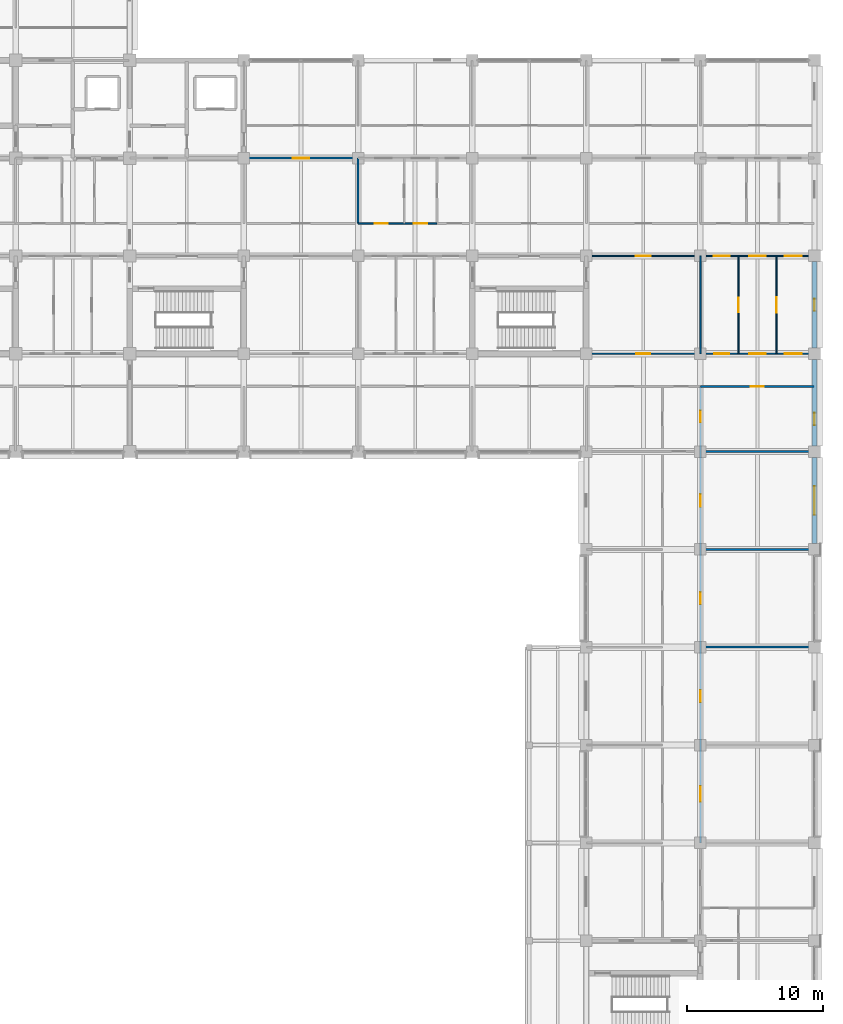
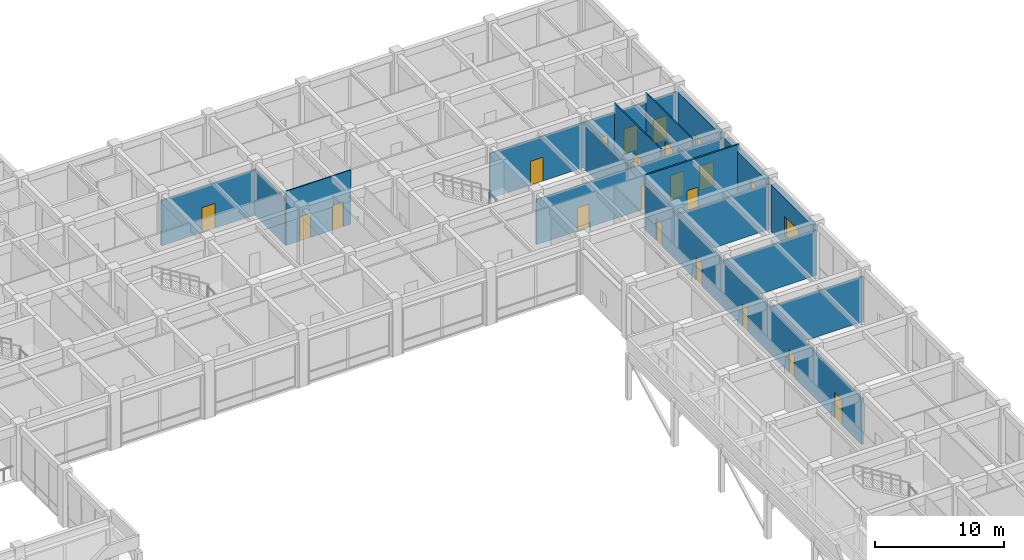
# One storey, part 57 of 68: 19 doors, 16 walls, 3 windows, 22 openings.
"""IFC4 building model written with IfcOpenShell, lengths in metres."""

import ifcopenshell
import ifcopenshell.guid

model = None  # the IFC model being written
_history = None  # IfcOwnerHistory: only IFC2X3 demands one
_inside = {}  # id of a spatial element -> (the spatial element, [elements in it])
_under = {}  # id of a project, library or spatial element -> (it, [spatial elements below it])
_declared = {}  # id of a project -> (the project, [libraries it declares])
_typed = {}  # id of a type object -> (the type object, [elements of that type])
_made_of = {}  # id of a material, layer set ... -> (it, [elements and type objects made of it])


def new_model(schema):
    """Start an empty IFC model of exactly this schema.

    Asked for "IFC4X3", IfcOpenShell would pick the latest addendum, in which some entities
    have other attributes; the version numbers below select the first issue.
    IFC2X3 requires an IfcOwnerHistory on every rooted entity: one is made here for all.
    """
    global model, _history
    if schema == "IFC4X3":
        model = ifcopenshell.file(schema_version=(4, 3, 0, 0))
    else:
        model = ifcopenshell.file(schema=schema)
    _inside.clear()
    _under.clear()
    _declared.clear()
    _typed.clear()
    _made_of.clear()
    _history = None
    if model.schema == "IFC2X3":
        org = make("IfcOrganization", Name="unknown")
        user = make(
            "IfcPersonAndOrganization",
            ThePerson=make("IfcPerson", FamilyName="unknown"),
            TheOrganization=org,
        )
        app = make(
            "IfcApplication",
            ApplicationDeveloper=org,
            Version="unknown",
            ApplicationFullName="unknown",
            ApplicationIdentifier="unknown",
        )
        _history = make(
            "IfcOwnerHistory",
            OwningUser=user,
            OwningApplication=app,
            ChangeAction="ADDED",
            CreationDate=0,
        )
    return model


def make(cls, **values):
    """One entity of the class cls with the attributes given. An attribute that is None is left unset."""
    return model.create_entity(
        cls, **{name: value for name, value in values.items() if value is not None}
    )


def rooted(cls, **values):
    """An entity with a GlobalId (a new one), such as an element, a storey or a relation."""
    return make(cls, GlobalId=ifcopenshell.guid.new(), OwnerHistory=_history, **values)


def si_unit(unit_type, name, prefix=None):
    """IfcSIUnit, for example si_unit("LENGTHUNIT", "METRE", prefix="MILLI")."""
    return make("IfcSIUnit", UnitType=unit_type, Prefix=prefix, Name=name)


def assignment(units):
    """IfcUnitAssignment: the units of a project."""
    return None if units is None else make("IfcUnitAssignment", Units=units)


def point(xyz):
    """IfcCartesianPoint."""
    return None if xyz is None else make("IfcCartesianPoint", Coordinates=xyz)


def direction(xyz):
    """IfcDirection."""
    return None if xyz is None else make("IfcDirection", DirectionRatios=xyz)


def frame(location, z_axis=None, x_axis=None):
    """IfcAxis2Placement3D, a coordinate frame: its origin and axes. An axis left out is left unset."""
    return make(
        "IfcAxis2Placement3D",
        Location=point(location),
        Axis=direction(z_axis),
        RefDirection=direction(x_axis),
    )


def frame_2d(location, x_axis=None):
    """IfcAxis2Placement2D, a coordinate frame in the plane: its origin and x axis."""
    return make(
        "IfcAxis2Placement2D", Location=point(location), RefDirection=direction(x_axis)
    )


def origin():
    """The frame at (0, 0, 0) with its axes left unset."""
    return frame((0.0, 0.0, 0.0))


def place(relative_to, where):
    """IfcLocalPlacement: puts the frame where relative to a parent placement (None: the world)."""
    return make(
        "IfcLocalPlacement", PlacementRelTo=relative_to, RelativePlacement=where
    )


def context(
    kind, dimensions, precision=None, world=None, true_north=None, identifier=None
):
    """IfcGeometricRepresentationContext, for example the 3D "Model" context."""
    return make(
        "IfcGeometricRepresentationContext",
        ContextIdentifier=identifier,
        ContextType=kind,
        CoordinateSpaceDimension=dimensions,
        Precision=precision,
        WorldCoordinateSystem=world,
        TrueNorth=true_north,
    )


def subcontext(parent, identifier, kind, view, scale=None):
    """IfcGeometricRepresentationSubContext, for example "Body" below "Model"."""
    return make(
        "IfcGeometricRepresentationSubContext",
        ContextIdentifier=identifier,
        ContextType=kind,
        ParentContext=parent,
        TargetScale=scale,
        TargetView=view,
    )


def project(units=None, contexts=None):
    """IfcProject with its units and contexts."""
    return rooted(
        "IfcProject",
        Name="project",
        RepresentationContexts=contexts,
        UnitsInContext=assignment(units),
    )


def spatial(cls, under=None, at=None, **own):
    """A site, building, storey or space (cls), placed at a placement, below another one or the project."""
    s = rooted(cls, ObjectPlacement=at, **own)
    if under is not None:
        _under.setdefault(under.id(), (under, []))[1].append(s)
    return s


def profile(cls, at=None, kind="AREA", **sizes):
    """A parametric profile (cls). Its sizes go by their IFC names, for example OverallWidth=200.0."""
    return make(cls, ProfileType=kind, Position=at, **sizes)


def rectangle(**sizes):
    """IfcRectangleProfileDef."""
    return profile("IfcRectangleProfileDef", **sizes)


def extrude(swept, where, along, depth):
    """IfcExtrudedAreaSolid: the profile swept, set in the frame where, extruded along a direction by depth."""
    return make(
        "IfcExtrudedAreaSolid",
        SweptArea=swept,
        Position=where,
        ExtrudedDirection=direction(along),
        Depth=depth,
    )


def shape(context_of_items, identifier, shape_type, items):
    """IfcShapeRepresentation: the items that make up one representation, for example the "Body"."""
    return make(
        "IfcShapeRepresentation",
        ContextOfItems=context_of_items,
        RepresentationIdentifier=identifier,
        RepresentationType=shape_type,
        Items=items,
    )


def material(Name=None, Category=None):
    """IfcMaterial."""
    return make("IfcMaterial", Name=Name, Category=Category)


def layer(
    of_material, thickness, ventilated=None, Name=None, Category=None, Priority=None
):
    """IfcMaterialLayer: one layer of a wall or slab, of a material (None: an air gap)."""
    return make(
        "IfcMaterialLayer",
        Material=of_material,
        LayerThickness=thickness,
        IsVentilated=ventilated,
        Name=Name,
        Category=Category,
        Priority=Priority,
    )


def layer_set(layers, Name=None):
    """IfcMaterialLayerSet."""
    return make("IfcMaterialLayerSet", MaterialLayers=layers, LayerSetName=Name)


def made_of(thing, what):
    """Note that an element or type object is made of a material, layer set ...; save() writes the relation."""
    if what is not None:
        _made_of.setdefault(what.id(), (what, []))[1].append(thing)
    return thing


def type_object(cls, material=None, **own):
    """A type object (cls), such as IfcWallType, which elements share."""
    return made_of(rooted(cls, **own), material)


def element(
    cls,
    number,
    at=None,
    inside=None,
    cuts=None,
    type_object=None,
    material=None,
    context=None,
    identifier="Body",
    shape_type=None,
    held_by="IfcProductDefinitionShape",
    body=None,
    shapes=None,
    **own,
):
    """One element of the class cls, such as IfcWall. Its Tag is "e" and its number.

    at: its placement. inside: the storey or other place that contains it. cuts: it is an
    opening in that element (IfcRelVoidsElement). A single representation is given by context,
    identifier, shape_type and body (its items); several are given by shapes. held_by: the class
    of the entity that holds the representations. save() writes the other relations.
    """
    e = rooted(cls, Tag="e%d" % number, ObjectPlacement=at, **own)
    if body is not None:
        shapes = [shape(context, identifier, shape_type, body)]
    if shapes is not None:
        e.Representation = make(held_by, Representations=shapes)
    if inside is not None:
        _inside.setdefault(inside.id(), (inside, []))[1].append(e)
    if cuts is not None:
        rooted(
            "IfcRelVoidsElement", RelatingBuildingElement=cuts, RelatedOpeningElement=e
        )
    if type_object is not None:
        _typed.setdefault(type_object.id(), (type_object, []))[1].append(e)
    return made_of(e, material)


def fill(opening, filler):
    """IfcRelFillsElement: the door or window that sits in an opening."""
    return rooted(
        "IfcRelFillsElement",
        RelatingOpeningElement=opening,
        RelatedBuildingElement=filler,
    )


def aggregate(whole, parts):
    """IfcRelAggregates: a whole, such as a stair, and the parts it consists of."""
    return rooted("IfcRelAggregates", RelatingObject=whole, RelatedObjects=parts)


def save(model, path):
    """Write the relations noted so far, then the file.

    IfcRelAggregates (storeys below a building ...), IfcRelContainedInSpatialStructure (elements
    in a storey), IfcRelDefinesByType, IfcRelAssociatesMaterial and IfcRelDeclares: one each for
    every whole, place, type object, material and project.
    """
    for whole, parts in _under.values():
        aggregate(whole, parts)
    for where, things in _inside.values():
        rooted(
            "IfcRelContainedInSpatialStructure",
            RelatedElements=things,
            RelatingStructure=where,
        )
    for kind, things in _typed.values():
        rooted("IfcRelDefinesByType", RelatedObjects=things, RelatingType=kind)
    for what, things in _made_of.values():
        rooted("IfcRelAssociatesMaterial", RelatedObjects=things, RelatingMaterial=what)
    for by, libraries in _declared.values():
        rooted("IfcRelDeclares", RelatingContext=by, RelatedDefinitions=libraries)
    model.write(path)


model = new_model("IFC4")

# Units and contexts
model_context = context("Model", 3, precision=1e-05, world=origin(), true_north=direction((0.0, 1.0)))
body_context = subcontext(model_context, "Body", "Model", "MODEL_VIEW")
ifc_project = project(units=[si_unit("LENGTHUNIT", "METRE"), si_unit("AREAUNIT", "SQUARE_METRE"), si_unit("VOLUMEUNIT", "CUBIC_METRE"), si_unit("PLANEANGLEUNIT", "RADIAN"), si_unit("MASSUNIT", "GRAM", prefix="KILO")], contexts=[model_context])

# Site, building, storey
site_placement = place(None, origin())
site = spatial("IfcSite", under=ifc_project, at=site_placement, CompositionType="ELEMENT")
building_placement = place(site_placement, origin())
building = spatial("IfcBuilding", under=site, at=building_placement, Name="Chengyuan Square Courthouse", CompositionType="ELEMENT")
storey_placement = place(building_placement, frame((0.0, 0.0, 5.39990234375)))
storey = spatial("IfcBuildingStorey", under=building, at=storey_placement, Name="L02", CompositionType="ELEMENT", Elevation=5.39990234375)

# Wall, opening, window
ifc_material_1 = material(Name="Concrete C40", Category="concrete")
ifc_layer_1 = layer(ifc_material_1, 0.3798828125)
ifc_layer_set_1 = layer_set([ifc_layer_1], Name="Concrete C40")
wall_type_1 = type_object("IfcWallType", Name="WL-EW1", PredefinedType="STANDARD", material=ifc_layer_set_1)
wall_1_placement = place(storey_placement, frame((168.0, 72.419921875, 0.0), z_axis=(0.0, 0.0, 1.0), x_axis=(0.0, 1.0, 0.0)))
wall_1 = element("IfcWall", 1, at=wall_1_placement, inside=storey, type_object=wall_type_1, Name="Exterior Wall WL-L02-E252", PredefinedType="STANDARD", context=body_context, shape_type="SweptSolid", body=[
    extrude(rectangle(XDim=6.360107421875, YDim=0.3798828125, at=frame_2d((3.18017578125, 0.0))), origin(), (0.0, 0.0, 1.0), 4.47021484375),
])
opening_1_placement = place(wall_1_placement, frame((2.1298828125, 0.0, 0.85009765625)))
opening_1 = element("IfcOpeningElement", 2, at=opening_1_placement, cuts=wall_1, Name="Opening WN-054", PredefinedType="OPENING", context=body_context, shape_type="SweptSolid", body=[
    extrude(rectangle(XDim=2.10009765625, YDim=1.919921875, at=frame_2d((1.050048828125, 0.9599609375))), frame((0.0, 0.201904296875, 0.0), z_axis=(0.0, -1.0, 0.0), x_axis=(1.0, 0.0, 0.0)), (0.0, 0.0, 1.0), 0.40380859375),
])
ifc_material_2 = material(Name="Thermally Broken Aluminium Triple Low-E Window", Category="aluminium")
window_type_1 = type_object("IfcWindowType", Name="WT-41", PartitioningType="SINGLE_PANEL", PredefinedType="WINDOW", material=ifc_material_2)
window_1_placement = place(opening_1_placement, origin())
window_1 = element("IfcWindow", 3, at=window_1_placement, inside=storey, type_object=window_type_1, Name="Facade Window WN-054", OverallHeight=1.919921875, OverallWidth=2.10009765625, PartitioningType="SINGLE_PANEL", PredefinedType="WINDOW", context=body_context, shape_type="SweptSolid", body=[
    extrude(rectangle(XDim=2.10009765625, YDim=1.919921875, at=frame_2d((1.050048828125, 0.9599609375))), frame((0.0, 0.030029296875, 0.0), z_axis=(0.0, -1.0, 0.0), x_axis=(1.0, 0.0, 0.0)), (0.0, 0.0, 1.0), 0.06005859375),
])
fill(opening_1, window_1)

wall_2_placement = place(storey_placement, frame((168.0, 79.6201171875, 0.0), z_axis=(0.0, 0.0, 1.0), x_axis=(0.0, 1.0, 0.0)))
wall_2 = element("IfcWall", 4, at=wall_2_placement, inside=storey, type_object=wall_type_1, Name="Exterior Wall WL-L02-E253", PredefinedType="STANDARD", context=body_context, shape_type="SweptSolid", body=[
    extrude(rectangle(XDim=6.35986328125, YDim=0.3798828125, at=frame_2d((3.179931640625, 0.0))), origin(), (0.0, 0.0, 1.0), 4.47021484375),
])
opening_2_placement = place(wall_2_placement, frame((1.530029296875, 0.0, 0.85009765625)))
opening_2 = element("IfcOpeningElement", 5, at=opening_2_placement, cuts=wall_2, Name="Opening WN-055", PredefinedType="OPENING", context=body_context, shape_type="SweptSolid", body=[
    extrude(rectangle(XDim=0.89990234375, YDim=2.1201171875, at=frame_2d((0.449951171875, 1.06005859375))), frame((0.0, 0.201904296875, 0.0), z_axis=(0.0, -1.0, 0.0), x_axis=(1.0, 0.0, 0.0)), (0.0, 0.0, 1.0), 0.40380859375),
])
window_type_2 = type_object("IfcWindowType", Name="WT-06", PartitioningType="SINGLE_PANEL", PredefinedType="WINDOW", material=ifc_material_2)
window_2_placement = place(opening_2_placement, origin())
window_2 = element("IfcWindow", 6, at=window_2_placement, inside=storey, type_object=window_type_2, Name="Facade Window WN-055", OverallHeight=2.1201171875, OverallWidth=0.89990234375, PartitioningType="SINGLE_PANEL", PredefinedType="WINDOW", context=body_context, shape_type="SweptSolid", body=[
    extrude(rectangle(XDim=0.89990234375, YDim=2.1201171875, at=frame_2d((0.449951171875, 1.06005859375))), frame((0.0, 0.030029296875, 0.0), z_axis=(0.0, -1.0, 0.0), x_axis=(1.0, 0.0, 0.0)), (0.0, 0.0, 1.0), 0.06005859375),
])
fill(opening_2, window_2)

wall_3_placement = place(storey_placement, frame((168.0, 86.820068359375, 0.0), z_axis=(0.0, 0.0, 1.0), x_axis=(0.0, 1.0, 0.0)))
wall_3 = element("IfcWall", 7, at=wall_3_placement, inside=storey, type_object=wall_type_1, Name="Exterior Wall WL-L02-E254", PredefinedType="STANDARD", context=body_context, shape_type="SweptSolid", body=[
    extrude(rectangle(XDim=6.35986328125, YDim=0.3798828125, at=frame_2d((3.179931640625, 0.0))), origin(), (0.0, 0.0, 1.0), 4.47021484375),
])
opening_3_placement = place(wall_3_placement, frame((2.72998046875, 0.0, 0.85009765625)))
opening_3 = element("IfcOpeningElement", 8, at=opening_3_placement, cuts=wall_3, Name="Opening WN-056", PredefinedType="OPENING", context=body_context, shape_type="SweptSolid", body=[
    extrude(rectangle(XDim=0.89990234375, YDim=1.199951171875, at=frame_2d((0.449951171875, 0.60009765625))), frame((0.0, 0.201904296875, 0.0), z_axis=(0.0, -1.0, 0.0), x_axis=(1.0, 0.0, 0.0)), (0.0, 0.0, 1.0), 0.40380859375),
])
window_type_3 = type_object("IfcWindowType", Name="WT-01", PartitioningType="SINGLE_PANEL", PredefinedType="WINDOW", material=ifc_material_2)
window_3_placement = place(opening_3_placement, origin())
window_3 = element("IfcWindow", 9, at=window_3_placement, inside=storey, type_object=window_type_3, Name="Facade Window WN-056", OverallHeight=1.199951171875, OverallWidth=0.89990234375, PartitioningType="SINGLE_PANEL", PredefinedType="WINDOW", context=body_context, shape_type="SweptSolid", body=[
    extrude(rectangle(XDim=0.89990234375, YDim=1.199951171875, at=frame_2d((0.449951171875, 0.60009765625))), frame((0.0, 0.030029296875, 0.0), z_axis=(0.0, -1.0, 0.0), x_axis=(1.0, 0.0, 0.0)), (0.0, 0.0, 1.0), 0.06005859375),
])
fill(opening_3, window_3)

# Walls
ifc_material_3 = material(Name="Deliberation Room Sound-Insulated Partition")
ifc_layer_2 = layer(ifc_material_3, 0.14990234375)
ifc_layer_set_2 = layer_set([ifc_layer_2], Name="Deliberation Room Sound-Insulated Partition")
wall_type_2 = type_object("IfcWallType", Name="WL-PT3", PredefinedType="STANDARD", material=ifc_layer_set_2)
for number, where, z_axis, x_axis, name in (
    (10, (159.60009765625, 64.800048828125, 0.0), (0.0, 0.0, 1.0), (1.0, 0.0, 0.0), "Interior Wall WL-L02-I1053"),
    (11, (159.60009765625, 72.0, 0.0), (0.0, 0.0, 1.0), (1.0, 0.0, 0.0), "Interior Wall WL-L02-I1057"),
    (12, (159.60009765625, 79.199951171875, 0.0), (0.0, 0.0, 1.0), (1.0, 0.0, 0.0), "Interior Wall WL-L02-I1061"),
):
    element("IfcWall", number, at=place(storey_placement, frame(where, z_axis=z_axis, x_axis=x_axis)), inside=storey, type_object=wall_type_2, Name=name, PredefinedType="STANDARD", context=body_context, shape_type="SweptSolid", body=[
        extrude(rectangle(XDim=8.35986328125, YDim=0.14990234375, at=frame_2d((4.179931640625, 0.0))), origin(), (0.0, 0.0, 1.0), 4.27001953125),
    ])

# Wall, opening, door
wall_4_placement = place(storey_placement, frame((159.60009765625, 84.0, 0.0), z_axis=(0.0, 0.0, 1.0), x_axis=(1.0, 0.0, 0.0)))
wall_4 = element("IfcWall", 13, at=wall_4_placement, inside=storey, type_object=wall_type_2, Name="Interior Wall WL-L02-I1066", PredefinedType="STANDARD", context=body_context, shape_type="SweptSolid", body=[
    extrude(rectangle(XDim=8.35986328125, YDim=0.14990234375, at=frame_2d((4.179931640625, 0.0))), origin(), (0.0, 0.0, 1.0), 5.1201171875),
])
opening_4_placement = place(wall_4_placement, frame((3.68994140625, 0.0, 0.0)))
opening_4 = element("IfcOpeningElement", 14, at=opening_4_placement, cuts=wall_4, Name="Opening DR-1252", PredefinedType="OPENING", context=body_context, shape_type="SweptSolid", body=[
    extrude(rectangle(XDim=0.97998046875, YDim=2.35009765625, at=frame_2d((0.489990234375, 1.175048828125))), frame((0.0, 0.0869140625, 0.0), z_axis=(0.0, -1.0, 0.0), x_axis=(1.0, 0.0, 0.0)), (0.0, 0.0, 1.0), 0.173828125),
])
ifc_material_4 = material(Name="Acoustic Solid-Core Timber Door", Category="wood")
door_type_1 = type_object("IfcDoorType", Name="DT-40", OperationType="NOTDEFINED", PredefinedType="DOOR", material=ifc_material_4)
door_1_placement = place(opening_4_placement, origin())
door_1 = element("IfcDoor", 15, at=door_1_placement, inside=storey, type_object=door_type_1, Name="Interior Door DR-1252", OperationType="SINGLE_SWING_LEFT", OverallHeight=2.35009765625, OverallWidth=0.97998046875, PredefinedType="DOOR", context=body_context, shape_type="SweptSolid", body=[
    extrude(rectangle(XDim=0.97998046875, YDim=2.35009765625, at=frame_2d((0.489990234375, 1.175048828125))), frame((0.0, 0.02490234375, 0.0), z_axis=(0.0, -1.0, 0.0), x_axis=(1.0, 0.0, 0.0)), (0.0, 0.0, 1.0), 0.050048828125),
])
fill(opening_4, door_1)

wall_5_placement = place(storey_placement, frame((126.0, 100.800048828125, 0.0), z_axis=(0.0, 0.0, 1.0), x_axis=(1.0, 0.0, 0.0)))
wall_5 = element("IfcWall", 16, at=wall_5_placement, inside=storey, type_object=wall_type_2, Name="Interior Wall WL-L02-I1147", PredefinedType="STANDARD", context=body_context, shape_type="SweptSolid", body=[
    extrude(rectangle(XDim=8.39990234375, YDim=0.14990234375, at=frame_2d((4.199951171875, 0.0))), origin(), (0.0, 0.0, 1.0), 4.27001953125),
])
opening_5_placement = place(wall_5_placement, frame((3.60009765625, 0.0, 0.0)))
opening_5 = element("IfcOpeningElement", 17, at=opening_5_placement, cuts=wall_5, Name="Opening DR-1095", PredefinedType="OPENING", context=body_context, shape_type="SweptSolid", body=[
    extrude(rectangle(XDim=1.199951171875, YDim=2.35009765625, at=frame_2d((0.60009765625, 1.175048828125))), frame((0.0, 0.0869140625, 0.0), z_axis=(0.0, -1.0, 0.0), x_axis=(1.0, 0.0, 0.0)), (0.0, 0.0, 1.0), 0.173828125),
])
door_type_2 = type_object("IfcDoorType", Name="DT-36", OperationType="NOTDEFINED", PredefinedType="DOOR", material=ifc_material_4)
door_2_placement = place(opening_5_placement, origin())
door_2 = element("IfcDoor", 18, at=door_2_placement, inside=storey, type_object=door_type_2, Name="Interior Door DR-1095", OperationType="SINGLE_SWING_RIGHT", OverallHeight=2.35009765625, OverallWidth=1.199951171875, PredefinedType="DOOR", context=body_context, shape_type="SweptSolid", body=[
    extrude(rectangle(XDim=1.199951171875, YDim=2.35009765625, at=frame_2d((0.60009765625, 1.175048828125))), frame((0.0, 0.02490234375, 0.0), z_axis=(0.0, -1.0, 0.0), x_axis=(1.0, 0.0, 0.0)), (0.0, 0.0, 1.0), 0.050048828125),
])
fill(opening_5, door_2)

# Wall
wall_6_placement = place(storey_placement, frame((134.39990234375, 96.0, 0.0), z_axis=(0.0, 0.0, 1.0), x_axis=(0.0, 1.0, 0.0)))
element("IfcWall", 19, at=wall_6_placement, inside=storey, type_object=wall_type_2, Name="Interior Wall WL-L02-I1356", PredefinedType="STANDARD", context=body_context, shape_type="SweptSolid", body=[
    extrude(rectangle(XDim=4.800048828125, YDim=0.14990234375, at=frame_2d((2.39990234375, 0.0))), origin(), (0.0, 0.0, 1.0), 4.3701171875),
])

# Wall, openings, doors
wall_7_placement = place(storey_placement, frame((159.60009765625, 50.39990234375, 0.0), z_axis=(0.0, 0.0, 1.0), x_axis=(0.0, 1.0, 0.0)))
wall_7 = element("IfcWall", 20, at=wall_7_placement, inside=storey, type_object=wall_type_2, Name="Interior Wall WL-L02-I1379", PredefinedType="STANDARD", context=body_context, shape_type="SweptSolid", body=[
    extrude(rectangle(XDim=33.60009765625, YDim=0.14990234375, at=frame_2d((16.800048828125, 0.0))), origin(), (0.0, 0.0, 1.0), 4.3701171875),
])
opening_6_placement = place(wall_7_placement, frame((30.9423828125, 0.0, 0.0)))
opening_6 = element("IfcOpeningElement", 21, at=opening_6_placement, cuts=wall_7, Name="Opening DR-1257", PredefinedType="OPENING", context=body_context, shape_type="SweptSolid", body=[
    extrude(rectangle(XDim=0.860107421875, YDim=2.10009765625, at=frame_2d((0.43017578125, 1.050048828125))), frame((0.0, 0.0869140625, 0.0), z_axis=(0.0, -1.0, 0.0), x_axis=(1.0, 0.0, 0.0)), (0.0, 0.0, 1.0), 0.173828125),
])
opening_7_placement = place(wall_7_placement, frame((3.030029296875, 0.0, 0.0)))
opening_7 = element("IfcOpeningElement", 22, at=opening_7_placement, cuts=wall_7, Name="Opening DR-1306", PredefinedType="OPENING", context=body_context, shape_type="SweptSolid", body=[
    extrude(rectangle(XDim=1.139892578125, YDim=2.39990234375, at=frame_2d((0.56982421875, 1.199951171875))), frame((0.0, 0.0869140625, 0.0), z_axis=(0.0, -1.0, 0.0), x_axis=(1.0, 0.0, 0.0)), (0.0, 0.0, 1.0), 0.173828125),
])
opening_8_placement = place(wall_7_placement, frame((10.35009765625, 0.0, 0.0)))
opening_8 = element("IfcOpeningElement", 23, at=opening_8_placement, cuts=wall_7, Name="Opening DR-1307", PredefinedType="OPENING", context=body_context, shape_type="SweptSolid", body=[
    extrude(rectangle(XDim=0.89990234375, YDim=2.14990234375, at=frame_2d((0.449951171875, 1.074951171875))), frame((0.0, 0.0869140625, 0.0), z_axis=(0.0, -1.0, 0.0), x_axis=(1.0, 0.0, 0.0)), (0.0, 0.0, 1.0), 0.173828125),
])
opening_9_placement = place(wall_7_placement, frame((17.570068359375, 0.0, 0.0)))
opening_9 = element("IfcOpeningElement", 24, at=opening_9_placement, cuts=wall_7, Name="Opening DR-1308", PredefinedType="OPENING", context=body_context, shape_type="SweptSolid", body=[
    extrude(rectangle(XDim=0.860107421875, YDim=2.10009765625, at=frame_2d((0.43017578125, 1.050048828125))), frame((0.0, 0.0869140625, 0.0), z_axis=(0.0, -1.0, 0.0), x_axis=(1.0, 0.0, 0.0)), (0.0, 0.0, 1.0), 0.173828125),
])
opening_10_placement = place(wall_7_placement, frame((24.739990234375, 0.0, 0.0)))
opening_10 = element("IfcOpeningElement", 25, at=opening_10_placement, cuts=wall_7, Name="Opening DR-1309", PredefinedType="OPENING", context=body_context, shape_type="SweptSolid", body=[
    extrude(rectangle(XDim=0.919921875, YDim=2.14990234375, at=frame_2d((0.4599609375, 1.074951171875))), frame((0.0, 0.0869140625, 0.0), z_axis=(0.0, -1.0, 0.0), x_axis=(1.0, 0.0, 0.0)), (0.0, 0.0, 1.0), 0.173828125),
])
door_type_3 = type_object("IfcDoorType", Name="DT-27", OperationType="NOTDEFINED", PredefinedType="DOOR", material=ifc_material_4)
door_3_placement = place(opening_8_placement, origin())
door_3 = element("IfcDoor", 26, at=door_3_placement, inside=storey, type_object=door_type_3, Name="Interior Door DR-1307", OperationType="SINGLE_SWING_RIGHT", OverallHeight=2.14990234375, OverallWidth=0.89990234375, PredefinedType="DOOR", context=body_context, shape_type="SweptSolid", body=[
    extrude(rectangle(XDim=0.89990234375, YDim=2.14990234375, at=frame_2d((0.449951171875, 1.074951171875))), frame((0.0, 0.02490234375, 0.0), z_axis=(0.0, -1.0, 0.0), x_axis=(1.0, 0.0, 0.0)), (0.0, 0.0, 1.0), 0.050048828125),
])
fill(opening_8, door_3)
door_type_4 = type_object("IfcDoorType", Name="DT-28", OperationType="NOTDEFINED", PredefinedType="DOOR", material=ifc_material_4)
door_4_placement = place(opening_6_placement, origin())
door_4 = element("IfcDoor", 27, at=door_4_placement, inside=storey, type_object=door_type_4, Name="Interior Door DR-1257", OperationType="SINGLE_SWING_RIGHT", OverallHeight=2.10009765625, OverallWidth=0.860107421875, PredefinedType="DOOR", context=body_context, shape_type="SweptSolid", body=[
    extrude(rectangle(XDim=0.860107421875, YDim=2.10009765625, at=frame_2d((0.43017578125, 1.050048828125))), frame((0.0, 0.02490234375, 0.0), z_axis=(0.0, -1.0, 0.0), x_axis=(1.0, 0.0, 0.0)), (0.0, 0.0, 1.0), 0.050048828125),
])
fill(opening_6, door_4)
door_5_placement = place(opening_9_placement, origin())
door_5 = element("IfcDoor", 28, at=door_5_placement, inside=storey, type_object=door_type_4, Name="Interior Door DR-1308", OperationType="SINGLE_SWING_LEFT", OverallHeight=2.10009765625, OverallWidth=0.860107421875, PredefinedType="DOOR", context=body_context, shape_type="SweptSolid", body=[
    extrude(rectangle(XDim=0.860107421875, YDim=2.10009765625, at=frame_2d((0.43017578125, 1.050048828125))), frame((0.0, 0.02490234375, 0.0), z_axis=(0.0, -1.0, 0.0), x_axis=(1.0, 0.0, 0.0)), (0.0, 0.0, 1.0), 0.050048828125),
])
fill(opening_9, door_5)
door_type_5 = type_object("IfcDoorType", Name="DT-29", OperationType="NOTDEFINED", PredefinedType="DOOR", material=ifc_material_4)
door_6_placement = place(opening_10_placement, origin())
door_6 = element("IfcDoor", 29, at=door_6_placement, inside=storey, type_object=door_type_5, Name="Interior Door DR-1309", OperationType="SINGLE_SWING_RIGHT", OverallHeight=2.14990234375, OverallWidth=0.919921875, PredefinedType="DOOR", context=body_context, shape_type="SweptSolid", body=[
    extrude(rectangle(XDim=0.919921875, YDim=2.14990234375, at=frame_2d((0.4599609375, 1.074951171875))), frame((0.0, 0.02490234375, 0.0), z_axis=(0.0, -1.0, 0.0), x_axis=(1.0, 0.0, 0.0)), (0.0, 0.0, 1.0), 0.050048828125),
])
fill(opening_10, door_6)
door_type_6 = type_object("IfcDoorType", Name="DT-43", OperationType="NOTDEFINED", PredefinedType="DOOR", material=ifc_material_4)
door_7_placement = place(opening_7_placement, origin())
door_7 = element("IfcDoor", 30, at=door_7_placement, inside=storey, type_object=door_type_6, Name="Interior Door DR-1306", OperationType="SINGLE_SWING_LEFT", OverallHeight=2.39990234375, OverallWidth=1.139892578125, PredefinedType="DOOR", context=body_context, shape_type="SweptSolid", body=[
    extrude(rectangle(XDim=1.139892578125, YDim=2.39990234375, at=frame_2d((0.56982421875, 1.199951171875))), frame((0.0, 0.02490234375, 0.0), z_axis=(0.0, -1.0, 0.0), x_axis=(1.0, 0.0, 0.0)), (0.0, 0.0, 1.0), 0.050048828125),
])
fill(opening_7, door_7)

ifc_material_5 = material(Name="Gypsum Plasterboard Acoustic Stud Partition")
ifc_layer_3 = layer(ifc_material_5, 0.10009765625)
ifc_layer_set_3 = layer_set([ifc_layer_3], Name="Gypsum Plasterboard Acoustic Stud Partition")
wall_type_3 = type_object("IfcWallType", Name="WL-PT6", PredefinedType="STANDARD", material=ifc_layer_set_3)
wall_8_placement = place(storey_placement, frame((151.199951171875, 86.39990234375, 0.0), z_axis=(0.0, 0.0, 1.0), x_axis=(1.0, 0.0, 0.0)))
wall_8 = element("IfcWall", 31, at=wall_8_placement, inside=storey, type_object=wall_type_3, Name="Interior Wall WL-L02-I1082", PredefinedType="STANDARD", context=body_context, shape_type="SweptSolid", body=[
    extrude(rectangle(XDim=16.760009765625, YDim=0.10009765625, at=frame_2d((8.3798828125, 0.0))), origin(), (0.0, 0.0, 1.0), 4.27001953125),
])
opening_11_placement = place(wall_8_placement, frame((3.679931640625, 0.0, 0.0)))
opening_11 = element("IfcOpeningElement", 32, at=opening_11_placement, cuts=wall_8, Name="Opening DR-1210", PredefinedType="OPENING", context=body_context, shape_type="SweptSolid", body=[
    extrude(rectangle(XDim=1.0400390625, YDim=2.199951171875, at=frame_2d((0.52001953125, 1.10009765625))), frame((0.0, 0.06201171875, 0.0), z_axis=(0.0, -1.0, 0.0), x_axis=(1.0, 0.0, 0.0)), (0.0, 0.0, 1.0), 0.1240234375),
])
opening_12_placement = place(wall_8_placement, frame((9.41259765625, 0.0, 0.0)))
opening_12 = element("IfcOpeningElement", 33, at=opening_12_placement, cuts=wall_8, Name="Opening DR-1212", PredefinedType="OPENING", context=body_context, shape_type="SweptSolid", body=[
    extrude(rectangle(XDim=1.1201171875, YDim=2.25, at=frame_2d((0.56005859375, 1.125))), frame((0.0, 0.06201171875, 0.0), z_axis=(0.0, -1.0, 0.0), x_axis=(1.0, 0.0, 0.0)), (0.0, 0.0, 1.0), 0.1240234375),
])
opening_13_placement = place(wall_8_placement, frame((12.0, 0.0, 0.0)))
opening_13 = element("IfcOpeningElement", 34, at=opening_13_placement, cuts=wall_8, Name="Opening DR-1214", PredefinedType="OPENING", context=body_context, shape_type="SweptSolid", body=[
    extrude(rectangle(XDim=1.199951171875, YDim=2.35009765625, at=frame_2d((0.60009765625, 1.175048828125))), frame((0.0, 0.06201171875, 0.0), z_axis=(0.0, -1.0, 0.0), x_axis=(1.0, 0.0, 0.0)), (0.0, 0.0, 1.0), 0.1240234375),
])
opening_14_placement = place(wall_8_placement, frame((14.607421875, 0.0, 0.0)))
opening_14 = element("IfcOpeningElement", 35, at=opening_14_placement, cuts=wall_8, Name="Opening DR-1215", PredefinedType="OPENING", context=body_context, shape_type="SweptSolid", body=[
    extrude(rectangle(XDim=1.239990234375, YDim=2.300048828125, at=frame_2d((0.6201171875, 1.14990234375))), frame((0.0, 0.06201171875, 0.0), z_axis=(0.0, -1.0, 0.0), x_axis=(1.0, 0.0, 0.0)), (0.0, 0.0, 1.0), 0.1240234375),
])
door_type_7 = type_object("IfcDoorType", Name="DT-32", OperationType="NOTDEFINED", PredefinedType="DOOR", material=ifc_material_4)
door_8_placement = place(opening_11_placement, origin())
door_8 = element("IfcDoor", 36, at=door_8_placement, inside=storey, type_object=door_type_7, Name="Interior Door DR-1210", OperationType="SINGLE_SWING_RIGHT", OverallHeight=2.199951171875, OverallWidth=1.0400390625, PredefinedType="DOOR", context=body_context, shape_type="SweptSolid", body=[
    extrude(rectangle(XDim=1.0400390625, YDim=2.199951171875, at=frame_2d((0.52001953125, 1.10009765625))), frame((0.0, 0.02490234375, 0.0), z_axis=(0.0, -1.0, 0.0), x_axis=(1.0, 0.0, 0.0)), (0.0, 0.0, 1.0), 0.050048828125),
])
fill(opening_11, door_8)
door_type_8 = type_object("IfcDoorType", Name="DT-34", OperationType="NOTDEFINED", PredefinedType="DOOR", material=ifc_material_4)
door_9_placement = place(opening_12_placement, origin())
door_9 = element("IfcDoor", 37, at=door_9_placement, inside=storey, type_object=door_type_8, Name="Interior Door DR-1212", OperationType="SINGLE_SWING_RIGHT", OverallHeight=2.25, OverallWidth=1.1201171875, PredefinedType="DOOR", context=body_context, shape_type="SweptSolid", body=[
    extrude(rectangle(XDim=1.1201171875, YDim=2.25, at=frame_2d((0.56005859375, 1.125))), frame((0.0, 0.02490234375, 0.0), z_axis=(0.0, -1.0, 0.0), x_axis=(1.0, 0.0, 0.0)), (0.0, 0.0, 1.0), 0.050048828125),
])
fill(opening_12, door_9)
door_10_placement = place(opening_13_placement, origin())
door_10 = element("IfcDoor", 38, at=door_10_placement, inside=storey, type_object=door_type_2, Name="Interior Door DR-1214", OperationType="SINGLE_SWING_RIGHT", OverallHeight=2.35009765625, OverallWidth=1.199951171875, PredefinedType="DOOR", context=body_context, shape_type="SweptSolid", body=[
    extrude(rectangle(XDim=1.199951171875, YDim=2.35009765625, at=frame_2d((0.60009765625, 1.175048828125))), frame((0.0, 0.02490234375, 0.0), z_axis=(0.0, -1.0, 0.0), x_axis=(1.0, 0.0, 0.0)), (0.0, 0.0, 1.0), 0.050048828125),
])
fill(opening_13, door_10)
door_type_9 = type_object("IfcDoorType", Name="DT-37", OperationType="NOTDEFINED", PredefinedType="DOOR", material=ifc_material_4)
door_11_placement = place(opening_14_placement, origin())
door_11 = element("IfcDoor", 39, at=door_11_placement, inside=storey, type_object=door_type_9, Name="Interior Door DR-1215", OperationType="SINGLE_SWING_LEFT", OverallHeight=2.300048828125, OverallWidth=1.239990234375, PredefinedType="DOOR", context=body_context, shape_type="SweptSolid", body=[
    extrude(rectangle(XDim=1.239990234375, YDim=2.300048828125, at=frame_2d((0.6201171875, 1.14990234375))), frame((0.0, 0.02490234375, 0.0), z_axis=(0.0, -1.0, 0.0), x_axis=(1.0, 0.0, 0.0)), (0.0, 0.0, 1.0), 0.050048828125),
])
fill(opening_14, door_11)

wall_9_placement = place(storey_placement, frame((151.199951171875, 93.60009765625, 0.0), z_axis=(0.0, 0.0, 1.0), x_axis=(1.0, 0.0, 0.0)))
wall_9 = element("IfcWall", 40, at=wall_9_placement, inside=storey, type_object=wall_type_3, Name="Interior Wall WL-L02-I1110", PredefinedType="STANDARD", context=body_context, shape_type="SweptSolid", body=[
    extrude(rectangle(XDim=16.760009765625, YDim=0.10009765625, at=frame_2d((8.3798828125, 0.0))), origin(), (0.0, 0.0, 1.0), 4.27001953125),
])
opening_15_placement = place(wall_9_placement, frame((3.639892578125, 0.0, 0.0)))
opening_15 = element("IfcOpeningElement", 41, at=opening_15_placement, cuts=wall_9, Name="Opening DR-1161", PredefinedType="OPENING", context=body_context, shape_type="SweptSolid", body=[
    extrude(rectangle(XDim=1.1201171875, YDim=2.25, at=frame_2d((0.56005859375, 1.125))), frame((0.0, 0.06201171875, 0.0), z_axis=(0.0, -1.0, 0.0), x_axis=(1.0, 0.0, 0.0)), (0.0, 0.0, 1.0), 0.1240234375),
])
opening_16_placement = place(wall_9_placement, frame((9.392578125, 0.0, 0.0)))
opening_16 = element("IfcOpeningElement", 42, at=opening_16_placement, cuts=wall_9, Name="Opening DR-1162", PredefinedType="OPENING", context=body_context, shape_type="SweptSolid", body=[
    extrude(rectangle(XDim=1.159912109375, YDim=2.300048828125, at=frame_2d((0.580078125, 1.14990234375))), frame((0.0, 0.06201171875, 0.0), z_axis=(0.0, -1.0, 0.0), x_axis=(1.0, 0.0, 0.0)), (0.0, 0.0, 1.0), 0.1240234375),
])
opening_17_placement = place(wall_9_placement, frame((12.0, 0.0, 0.0)))
opening_17 = element("IfcOpeningElement", 43, at=opening_17_placement, cuts=wall_9, Name="Opening DR-1163", PredefinedType="OPENING", context=body_context, shape_type="SweptSolid", body=[
    extrude(rectangle(XDim=1.199951171875, YDim=2.35009765625, at=frame_2d((0.60009765625, 1.175048828125))), frame((0.0, 0.06201171875, 0.0), z_axis=(0.0, -1.0, 0.0), x_axis=(1.0, 0.0, 0.0)), (0.0, 0.0, 1.0), 0.1240234375),
])
opening_18_placement = place(wall_9_placement, frame((14.607421875, 0.0, 0.0)))
opening_18 = element("IfcOpeningElement", 44, at=opening_18_placement, cuts=wall_9, Name="Opening DR-1164", PredefinedType="OPENING", context=body_context, shape_type="SweptSolid", body=[
    extrude(rectangle(XDim=1.239990234375, YDim=2.300048828125, at=frame_2d((0.6201171875, 1.14990234375))), frame((0.0, 0.06201171875, 0.0), z_axis=(0.0, -1.0, 0.0), x_axis=(1.0, 0.0, 0.0)), (0.0, 0.0, 1.0), 0.1240234375),
])
door_12_placement = place(opening_15_placement, origin())
door_12 = element("IfcDoor", 45, at=door_12_placement, inside=storey, type_object=door_type_8, Name="Interior Door DR-1161", OperationType="SINGLE_SWING_RIGHT", OverallHeight=2.25, OverallWidth=1.1201171875, PredefinedType="DOOR", context=body_context, shape_type="SweptSolid", body=[
    extrude(rectangle(XDim=1.1201171875, YDim=2.25, at=frame_2d((0.56005859375, 1.125))), frame((0.0, 0.02490234375, 0.0), z_axis=(0.0, -1.0, 0.0), x_axis=(1.0, 0.0, 0.0)), (0.0, 0.0, 1.0), 0.050048828125),
])
fill(opening_15, door_12)
door_type_10 = type_object("IfcDoorType", Name="DT-35", OperationType="NOTDEFINED", PredefinedType="DOOR", material=ifc_material_4)
door_13_placement = place(opening_16_placement, origin())
door_13 = element("IfcDoor", 46, at=door_13_placement, inside=storey, type_object=door_type_10, Name="Interior Door DR-1162", OperationType="SINGLE_SWING_LEFT", OverallHeight=2.300048828125, OverallWidth=1.159912109375, PredefinedType="DOOR", context=body_context, shape_type="SweptSolid", body=[
    extrude(rectangle(XDim=1.159912109375, YDim=2.300048828125, at=frame_2d((0.580078125, 1.14990234375))), frame((0.0, 0.02490234375, 0.0), z_axis=(0.0, -1.0, 0.0), x_axis=(1.0, 0.0, 0.0)), (0.0, 0.0, 1.0), 0.050048828125),
])
fill(opening_16, door_13)
door_14_placement = place(opening_17_placement, origin())
door_14 = element("IfcDoor", 47, at=door_14_placement, inside=storey, type_object=door_type_2, Name="Interior Door DR-1163", OperationType="SINGLE_SWING_RIGHT", OverallHeight=2.35009765625, OverallWidth=1.199951171875, PredefinedType="DOOR", context=body_context, shape_type="SweptSolid", body=[
    extrude(rectangle(XDim=1.199951171875, YDim=2.35009765625, at=frame_2d((0.60009765625, 1.175048828125))), frame((0.0, 0.02490234375, 0.0), z_axis=(0.0, -1.0, 0.0), x_axis=(1.0, 0.0, 0.0)), (0.0, 0.0, 1.0), 0.050048828125),
])
fill(opening_17, door_14)
door_15_placement = place(opening_18_placement, origin())
door_15 = element("IfcDoor", 48, at=door_15_placement, inside=storey, type_object=door_type_9, Name="Interior Door DR-1164", OperationType="SINGLE_SWING_LEFT", OverallHeight=2.300048828125, OverallWidth=1.239990234375, PredefinedType="DOOR", context=body_context, shape_type="SweptSolid", body=[
    extrude(rectangle(XDim=1.239990234375, YDim=2.300048828125, at=frame_2d((0.6201171875, 1.14990234375))), frame((0.0, 0.02490234375, 0.0), z_axis=(0.0, -1.0, 0.0), x_axis=(1.0, 0.0, 0.0)), (0.0, 0.0, 1.0), 0.050048828125),
])
fill(opening_18, door_15)

wall_10_placement = place(storey_placement, frame((134.39990234375, 96.0, 0.0), z_axis=(0.0, 0.0, 1.0), x_axis=(1.0, 0.0, 0.0)))
wall_10 = element("IfcWall", 49, at=wall_10_placement, inside=storey, type_object=wall_type_3, Name="Interior Wall WL-L02-I1122", PredefinedType="STANDARD", context=body_context, shape_type="SweptSolid", body=[
    extrude(rectangle(XDim=5.800048828125, YDim=0.10009765625, at=frame_2d((2.89990234375, 0.0))), origin(), (0.0, 0.0, 1.0), 5.1201171875),
])
opening_19_placement = place(wall_10_placement, frame((1.22998046875, 0.0, 0.0)))
opening_19 = element("IfcOpeningElement", 50, at=opening_19_placement, cuts=wall_10, Name="Opening DR-1149", PredefinedType="OPENING", context=body_context, shape_type="SweptSolid", body=[
    extrude(rectangle(XDim=0.93994140625, YDim=2.300048828125, at=frame_2d((0.469970703125, 1.14990234375))), frame((0.0, 0.06201171875, 0.0), z_axis=(0.0, -1.0, 0.0), x_axis=(1.0, 0.0, 0.0)), (0.0, 0.0, 1.0), 0.1240234375),
])
opening_20_placement = place(wall_10_placement, frame((4.110107421875, 0.0, 0.0)))
opening_20 = element("IfcOpeningElement", 51, at=opening_20_placement, cuts=wall_10, Name="Opening DR-1150", PredefinedType="OPENING", context=body_context, shape_type="SweptSolid", body=[
    extrude(rectangle(XDim=0.97998046875, YDim=2.35009765625, at=frame_2d((0.489990234375, 1.175048828125))), frame((0.0, 0.06201171875, 0.0), z_axis=(0.0, -1.0, 0.0), x_axis=(1.0, 0.0, 0.0)), (0.0, 0.0, 1.0), 0.1240234375),
])
door_type_11 = type_object("IfcDoorType", Name="DT-39", OperationType="NOTDEFINED", PredefinedType="DOOR", material=ifc_material_4)
door_16_placement = place(opening_19_placement, origin())
door_16 = element("IfcDoor", 52, at=door_16_placement, inside=storey, type_object=door_type_11, Name="Interior Door DR-1149", OperationType="SINGLE_SWING_LEFT", OverallHeight=2.300048828125, OverallWidth=0.93994140625, PredefinedType="DOOR", context=body_context, shape_type="SweptSolid", body=[
    extrude(rectangle(XDim=0.93994140625, YDim=2.300048828125, at=frame_2d((0.469970703125, 1.14990234375))), frame((0.0, 0.02490234375, 0.0), z_axis=(0.0, -1.0, 0.0), x_axis=(1.0, 0.0, 0.0)), (0.0, 0.0, 1.0), 0.050048828125),
])
fill(opening_19, door_16)
door_17_placement = place(opening_20_placement, origin())
door_17 = element("IfcDoor", 53, at=door_17_placement, inside=storey, type_object=door_type_1, Name="Interior Door DR-1150", OperationType="SINGLE_SWING_RIGHT", OverallHeight=2.35009765625, OverallWidth=0.97998046875, PredefinedType="DOOR", context=body_context, shape_type="SweptSolid", body=[
    extrude(rectangle(XDim=0.97998046875, YDim=2.35009765625, at=frame_2d((0.489990234375, 1.175048828125))), frame((0.0, 0.02490234375, 0.0), z_axis=(0.0, -1.0, 0.0), x_axis=(1.0, 0.0, 0.0)), (0.0, 0.0, 1.0), 0.050048828125),
])
fill(opening_20, door_17)

# Wall
wall_11_placement = place(storey_placement, frame((159.60009765625, 86.39990234375, 0.0), z_axis=(0.0, 0.0, 1.0), x_axis=(0.0, 1.0, 0.0)))
element("IfcWall", 54, at=wall_11_placement, inside=storey, type_object=wall_type_3, Name="Interior Wall WL-L02-I1380", PredefinedType="STANDARD", context=body_context, shape_type="SweptSolid", body=[
    extrude(rectangle(XDim=7.2001953125, YDim=0.10009765625, at=frame_2d((3.60009765625, 0.0))), origin(), (0.0, 0.0, 1.0), 4.3701171875),
])

# Wall, opening, door
wall_12_placement = place(storey_placement, frame((162.39990234375, 86.39990234375, 0.0), z_axis=(0.0, 0.0, 1.0), x_axis=(0.0, 1.0, 0.0)))
wall_12 = element("IfcWall", 55, at=wall_12_placement, inside=storey, type_object=wall_type_3, Name="Interior Wall WL-L02-I1384", PredefinedType="STANDARD", context=body_context, shape_type="SweptSolid", body=[
    extrude(rectangle(XDim=7.2001953125, YDim=0.10009765625, at=frame_2d((3.60009765625, 0.0))), origin(), (0.0, 0.0, 1.0), 5.1201171875),
])
opening_21_placement = place(wall_12_placement, frame((3.06005859375, 0.0, 0.0)))
opening_21 = element("IfcOpeningElement", 56, at=opening_21_placement, cuts=wall_12, Name="Opening DR-1211", PredefinedType="OPENING", context=body_context, shape_type="SweptSolid", body=[
    extrude(rectangle(XDim=1.080078125, YDim=2.25, at=frame_2d((0.5400390625, 1.125))), frame((0.0, 0.06201171875, 0.0), z_axis=(0.0, -1.0, 0.0), x_axis=(1.0, 0.0, 0.0)), (0.0, 0.0, 1.0), 0.1240234375),
])
door_type_12 = type_object("IfcDoorType", Name="DT-33", OperationType="NOTDEFINED", PredefinedType="DOOR", material=ifc_material_4)
door_18_placement = place(opening_21_placement, origin())
door_18 = element("IfcDoor", 57, at=door_18_placement, inside=storey, type_object=door_type_12, Name="Interior Door DR-1211", OperationType="SINGLE_SWING_LEFT", OverallHeight=2.25, OverallWidth=1.080078125, PredefinedType="DOOR", context=body_context, shape_type="SweptSolid", body=[
    extrude(rectangle(XDim=1.080078125, YDim=2.25, at=frame_2d((0.5400390625, 1.125))), frame((0.0, 0.02490234375, 0.0), z_axis=(0.0, -1.0, 0.0), x_axis=(1.0, 0.0, 0.0)), (0.0, 0.0, 1.0), 0.050048828125),
])
fill(opening_21, door_18)

wall_13_placement = place(storey_placement, frame((165.199951171875, 86.39990234375, 0.0), z_axis=(0.0, 0.0, 1.0), x_axis=(0.0, 1.0, 0.0)))
wall_13 = element("IfcWall", 58, at=wall_13_placement, inside=storey, type_object=wall_type_3, Name="Interior Wall WL-L02-I1386", PredefinedType="STANDARD", context=body_context, shape_type="SweptSolid", body=[
    extrude(rectangle(XDim=7.2001953125, YDim=0.10009765625, at=frame_2d((3.60009765625, 0.0))), origin(), (0.0, 0.0, 1.0), 5.1201171875),
])
opening_22_placement = place(wall_13_placement, frame((3.02001953125, 0.0, 0.0)))
opening_22 = element("IfcOpeningElement", 59, at=opening_22_placement, cuts=wall_13, Name="Opening DR-1213", PredefinedType="OPENING", context=body_context, shape_type="SweptSolid", body=[
    extrude(rectangle(XDim=1.159912109375, YDim=2.300048828125, at=frame_2d((0.580078125, 1.14990234375))), frame((0.0, 0.06201171875, 0.0), z_axis=(0.0, -1.0, 0.0), x_axis=(1.0, 0.0, 0.0)), (0.0, 0.0, 1.0), 0.1240234375),
])
door_19_placement = place(opening_22_placement, origin())
door_19 = element("IfcDoor", 60, at=door_19_placement, inside=storey, type_object=door_type_10, Name="Interior Door DR-1213", OperationType="SINGLE_SWING_LEFT", OverallHeight=2.300048828125, OverallWidth=1.159912109375, PredefinedType="DOOR", context=body_context, shape_type="SweptSolid", body=[
    extrude(rectangle(XDim=1.159912109375, YDim=2.300048828125, at=frame_2d((0.580078125, 1.14990234375))), frame((0.0, 0.02490234375, 0.0), z_axis=(0.0, -1.0, 0.0), x_axis=(1.0, 0.0, 0.0)), (0.0, 0.0, 1.0), 0.050048828125),
])
fill(opening_22, door_19)

save(model, "model.ifc")
